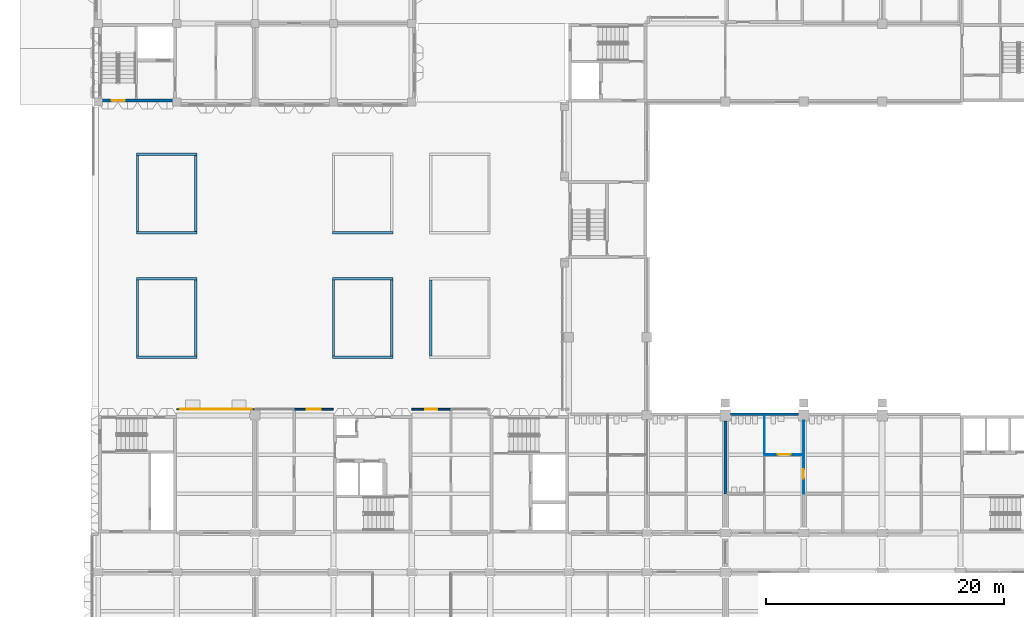
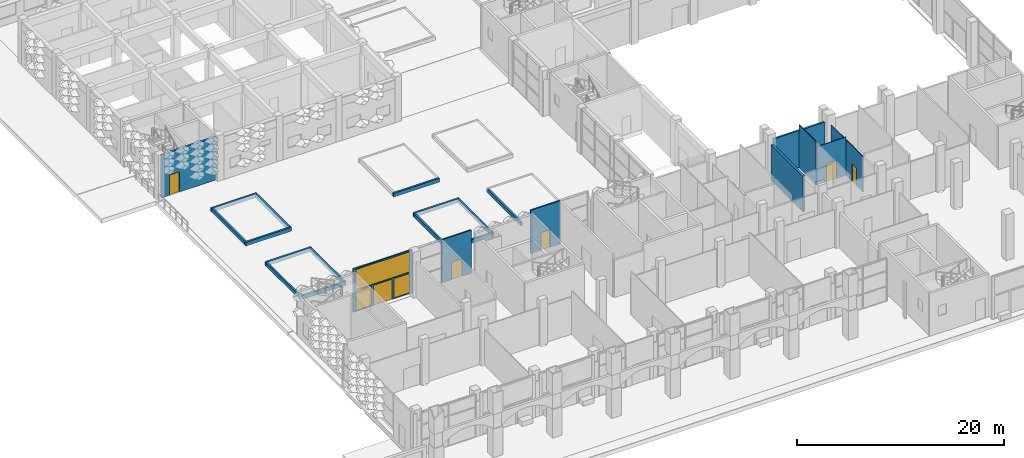
# One storey, part 30 of 85: 24 walls, 6 doors, 3 windows, 9 openings.
"""IFC4 building model written with IfcOpenShell, lengths in metres."""

import ifcopenshell
import ifcopenshell.guid

model = None  # the IFC model being written
_history = None  # IfcOwnerHistory: only IFC2X3 demands one
_inside = {}  # id of a spatial element -> (the spatial element, [elements in it])
_under = {}  # id of a project, library or spatial element -> (it, [spatial elements below it])
_declared = {}  # id of a project -> (the project, [libraries it declares])
_typed = {}  # id of a type object -> (the type object, [elements of that type])
_made_of = {}  # id of a material, layer set ... -> (it, [elements and type objects made of it])


def new_model(schema):
    """Start an empty IFC model of exactly this schema.

    Asked for "IFC4X3", IfcOpenShell would pick the latest addendum, in which some entities
    have other attributes; the version numbers below select the first issue.
    IFC2X3 requires an IfcOwnerHistory on every rooted entity: one is made here for all.
    """
    global model, _history
    if schema == "IFC4X3":
        model = ifcopenshell.file(schema_version=(4, 3, 0, 0))
    else:
        model = ifcopenshell.file(schema=schema)
    _inside.clear()
    _under.clear()
    _declared.clear()
    _typed.clear()
    _made_of.clear()
    _history = None
    if model.schema == "IFC2X3":
        org = make("IfcOrganization", Name="unknown")
        user = make(
            "IfcPersonAndOrganization",
            ThePerson=make("IfcPerson", FamilyName="unknown"),
            TheOrganization=org,
        )
        app = make(
            "IfcApplication",
            ApplicationDeveloper=org,
            Version="unknown",
            ApplicationFullName="unknown",
            ApplicationIdentifier="unknown",
        )
        _history = make(
            "IfcOwnerHistory",
            OwningUser=user,
            OwningApplication=app,
            ChangeAction="ADDED",
            CreationDate=0,
        )
    return model


def make(cls, **values):
    """One entity of the class cls with the attributes given. An attribute that is None is left unset."""
    return model.create_entity(
        cls, **{name: value for name, value in values.items() if value is not None}
    )


def rooted(cls, **values):
    """An entity with a GlobalId (a new one), such as an element, a storey or a relation."""
    return make(cls, GlobalId=ifcopenshell.guid.new(), OwnerHistory=_history, **values)


def si_unit(unit_type, name, prefix=None):
    """IfcSIUnit, for example si_unit("LENGTHUNIT", "METRE", prefix="MILLI")."""
    return make("IfcSIUnit", UnitType=unit_type, Prefix=prefix, Name=name)


def assignment(units):
    """IfcUnitAssignment: the units of a project."""
    return None if units is None else make("IfcUnitAssignment", Units=units)


def point(xyz):
    """IfcCartesianPoint."""
    return None if xyz is None else make("IfcCartesianPoint", Coordinates=xyz)


def direction(xyz):
    """IfcDirection."""
    return None if xyz is None else make("IfcDirection", DirectionRatios=xyz)


def frame(location, z_axis=None, x_axis=None):
    """IfcAxis2Placement3D, a coordinate frame: its origin and axes. An axis left out is left unset."""
    return make(
        "IfcAxis2Placement3D",
        Location=point(location),
        Axis=direction(z_axis),
        RefDirection=direction(x_axis),
    )


def frame_2d(location, x_axis=None):
    """IfcAxis2Placement2D, a coordinate frame in the plane: its origin and x axis."""
    return make(
        "IfcAxis2Placement2D", Location=point(location), RefDirection=direction(x_axis)
    )


def origin():
    """The frame at (0, 0, 0) with its axes left unset."""
    return frame((0.0, 0.0, 0.0))


def place(relative_to, where):
    """IfcLocalPlacement: puts the frame where relative to a parent placement (None: the world)."""
    return make(
        "IfcLocalPlacement", PlacementRelTo=relative_to, RelativePlacement=where
    )


def context(
    kind, dimensions, precision=None, world=None, true_north=None, identifier=None
):
    """IfcGeometricRepresentationContext, for example the 3D "Model" context."""
    return make(
        "IfcGeometricRepresentationContext",
        ContextIdentifier=identifier,
        ContextType=kind,
        CoordinateSpaceDimension=dimensions,
        Precision=precision,
        WorldCoordinateSystem=world,
        TrueNorth=true_north,
    )


def subcontext(parent, identifier, kind, view, scale=None):
    """IfcGeometricRepresentationSubContext, for example "Body" below "Model"."""
    return make(
        "IfcGeometricRepresentationSubContext",
        ContextIdentifier=identifier,
        ContextType=kind,
        ParentContext=parent,
        TargetScale=scale,
        TargetView=view,
    )


def project(units=None, contexts=None):
    """IfcProject with its units and contexts."""
    return rooted(
        "IfcProject",
        Name="project",
        RepresentationContexts=contexts,
        UnitsInContext=assignment(units),
    )


def spatial(cls, under=None, at=None, **own):
    """A site, building, storey or space (cls), placed at a placement, below another one or the project."""
    s = rooted(cls, ObjectPlacement=at, **own)
    if under is not None:
        _under.setdefault(under.id(), (under, []))[1].append(s)
    return s


def profile(cls, at=None, kind="AREA", **sizes):
    """A parametric profile (cls). Its sizes go by their IFC names, for example OverallWidth=200.0."""
    return make(cls, ProfileType=kind, Position=at, **sizes)


def rectangle(**sizes):
    """IfcRectangleProfileDef."""
    return profile("IfcRectangleProfileDef", **sizes)


def extrude(swept, where, along, depth):
    """IfcExtrudedAreaSolid: the profile swept, set in the frame where, extruded along a direction by depth."""
    return make(
        "IfcExtrudedAreaSolid",
        SweptArea=swept,
        Position=where,
        ExtrudedDirection=direction(along),
        Depth=depth,
    )


def shape(context_of_items, identifier, shape_type, items):
    """IfcShapeRepresentation: the items that make up one representation, for example the "Body"."""
    return make(
        "IfcShapeRepresentation",
        ContextOfItems=context_of_items,
        RepresentationIdentifier=identifier,
        RepresentationType=shape_type,
        Items=items,
    )


def material(Name=None, Category=None):
    """IfcMaterial."""
    return make("IfcMaterial", Name=Name, Category=Category)


def layer(
    of_material, thickness, ventilated=None, Name=None, Category=None, Priority=None
):
    """IfcMaterialLayer: one layer of a wall or slab, of a material (None: an air gap)."""
    return make(
        "IfcMaterialLayer",
        Material=of_material,
        LayerThickness=thickness,
        IsVentilated=ventilated,
        Name=Name,
        Category=Category,
        Priority=Priority,
    )


def layer_set(layers, Name=None):
    """IfcMaterialLayerSet."""
    return make("IfcMaterialLayerSet", MaterialLayers=layers, LayerSetName=Name)


def made_of(thing, what):
    """Note that an element or type object is made of a material, layer set ...; save() writes the relation."""
    if what is not None:
        _made_of.setdefault(what.id(), (what, []))[1].append(thing)
    return thing


def type_object(cls, material=None, **own):
    """A type object (cls), such as IfcWallType, which elements share."""
    return made_of(rooted(cls, **own), material)


def element(
    cls,
    number,
    at=None,
    inside=None,
    cuts=None,
    type_object=None,
    material=None,
    context=None,
    identifier="Body",
    shape_type=None,
    held_by="IfcProductDefinitionShape",
    body=None,
    shapes=None,
    **own,
):
    """One element of the class cls, such as IfcWall. Its Tag is "e" and its number.

    at: its placement. inside: the storey or other place that contains it. cuts: it is an
    opening in that element (IfcRelVoidsElement). A single representation is given by context,
    identifier, shape_type and body (its items); several are given by shapes. held_by: the class
    of the entity that holds the representations. save() writes the other relations.
    """
    e = rooted(cls, Tag="e%d" % number, ObjectPlacement=at, **own)
    if body is not None:
        shapes = [shape(context, identifier, shape_type, body)]
    if shapes is not None:
        e.Representation = make(held_by, Representations=shapes)
    if inside is not None:
        _inside.setdefault(inside.id(), (inside, []))[1].append(e)
    if cuts is not None:
        rooted(
            "IfcRelVoidsElement", RelatingBuildingElement=cuts, RelatedOpeningElement=e
        )
    if type_object is not None:
        _typed.setdefault(type_object.id(), (type_object, []))[1].append(e)
    return made_of(e, material)


def fill(opening, filler):
    """IfcRelFillsElement: the door or window that sits in an opening."""
    return rooted(
        "IfcRelFillsElement",
        RelatingOpeningElement=opening,
        RelatedBuildingElement=filler,
    )


def aggregate(whole, parts):
    """IfcRelAggregates: a whole, such as a stair, and the parts it consists of."""
    return rooted("IfcRelAggregates", RelatingObject=whole, RelatedObjects=parts)


def save(model, path):
    """Write the relations noted so far, then the file.

    IfcRelAggregates (storeys below a building ...), IfcRelContainedInSpatialStructure (elements
    in a storey), IfcRelDefinesByType, IfcRelAssociatesMaterial and IfcRelDeclares: one each for
    every whole, place, type object, material and project.
    """
    for whole, parts in _under.values():
        aggregate(whole, parts)
    for where, things in _inside.values():
        rooted(
            "IfcRelContainedInSpatialStructure",
            RelatedElements=things,
            RelatingStructure=where,
        )
    for kind, things in _typed.values():
        rooted("IfcRelDefinesByType", RelatedObjects=things, RelatingType=kind)
    for what, things in _made_of.values():
        rooted("IfcRelAssociatesMaterial", RelatedObjects=things, RelatingMaterial=what)
    for by, libraries in _declared.values():
        rooted("IfcRelDeclares", RelatingContext=by, RelatedDefinitions=libraries)
    model.write(path)


model = new_model("IFC4")

# Units and contexts
model_context = context("Model", 3, precision=1e-05, world=origin(), true_north=direction((0.0, 1.0)))
body_context = subcontext(model_context, "Body", "Model", "MODEL_VIEW")
ifc_project = project(units=[si_unit("LENGTHUNIT", "METRE"), si_unit("AREAUNIT", "SQUARE_METRE"), si_unit("VOLUMEUNIT", "CUBIC_METRE"), si_unit("PLANEANGLEUNIT", "RADIAN"), si_unit("MASSUNIT", "GRAM", prefix="KILO")], contexts=[model_context])

# Site, building, storey
site_placement = place(None, origin())
site = spatial("IfcSite", under=ifc_project, at=site_placement, CompositionType="ELEMENT")
building_placement = place(site_placement, origin())
building = spatial("IfcBuilding", under=site, at=building_placement, Name="Lantern Court Research Institute", CompositionType="ELEMENT")
storey_placement = place(building_placement, origin())
storey = spatial("IfcBuildingStorey", under=building, at=storey_placement, Name="L00", CompositionType="ELEMENT", Elevation=0.0)

# Wall, openings, windows, door
ifc_material_1 = material(Name="Aluminium alloy 6063-T6", Category="aluminium")
ifc_layer_1 = layer(ifc_material_1, 0.14990234375)
ifc_layer_set_1 = layer_set([ifc_layer_1], Name="Aluminium alloy 6063-T6")
wall_type_1 = type_object("IfcWallType", Name="Entrance screen wall 150 aluminium", PredefinedType="STANDARD", material=ifc_layer_set_1)
wall_1_placement = place(storey_placement, frame((6.60009765625, 23.625, 0.0), z_axis=(0.0, 0.0, 1.0), x_axis=(1.0, 0.0, 0.0)))
wall_1 = element("IfcWall", 1, at=wall_1_placement, inside=storey, type_object=wall_type_1, Name="Exterior wall EW026", PredefinedType="STANDARD", context=body_context, shape_type="SweptSolid", body=[
    extrude(rectangle(XDim=6.599853515625, YDim=0.14990234375, at=frame_2d((3.2998046875, 0.0))), origin(), (0.0, 0.0, 1.0), 5.10009765625),
])
opening_1_placement = place(wall_1_placement, frame((2.25, 0.0, 0.0)))
opening_1 = element("IfcOpeningElement", 2, at=opening_1_placement, cuts=wall_1, Name="Opening D4081", PredefinedType="OPENING", context=body_context, shape_type="SweptSolid", body=[
    extrude(rectangle(XDim=2.10009765625, YDim=2.39990234375, at=frame_2d((1.050048828125, 1.199951171875))), frame((0.0, 0.0849609375, 0.0), z_axis=(0.0, -1.0, 0.0), x_axis=(1.0, 0.0, 0.0)), (0.0, 0.0, 1.0), 0.169921875),
])
opening_2_placement = place(wall_1_placement, frame((0.300048828125, 0.0, 0.10009765625)))
opening_2 = element("IfcOpeningElement", 3, at=opening_2_placement, cuts=wall_1, Name="Opening W07", PredefinedType="OPENING", context=body_context, shape_type="SweptSolid", body=[
    extrude(rectangle(XDim=1.75, YDim=2.300048828125, at=frame_2d((0.875, 1.14990234375))), frame((0.0, 0.0849609375, 0.0), z_axis=(0.0, -1.0, 0.0), x_axis=(1.0, 0.0, 0.0)), (0.0, 0.0, 1.0), 0.169921875),
])
opening_3_placement = place(wall_1_placement, frame((4.550048828125, 0.0, 0.10009765625)))
opening_3 = element("IfcOpeningElement", 4, at=opening_3_placement, cuts=wall_1, Name="Opening W07", PredefinedType="OPENING", context=body_context, shape_type="SweptSolid", body=[
    extrude(rectangle(XDim=1.75, YDim=2.300048828125, at=frame_2d((0.875, 1.14990234375))), frame((0.0, 0.0849609375, 0.0), z_axis=(0.0, -1.0, 0.0), x_axis=(1.0, 0.0, 0.0)), (0.0, 0.0, 1.0), 0.169921875),
])
opening_4_placement = place(wall_1_placement, frame((0.300048828125, 0.0, 2.550048828125)))
opening_4 = element("IfcOpeningElement", 5, at=opening_4_placement, cuts=wall_1, Name="Opening W02", PredefinedType="OPENING", context=body_context, shape_type="SweptSolid", body=[
    extrude(rectangle(XDim=6.0, YDim=2.39990234375, at=frame_2d((3.0, 1.199951171875))), frame((0.0, 0.0849609375, 0.0), z_axis=(0.0, -1.0, 0.0), x_axis=(1.0, 0.0, 0.0)), (0.0, 0.0, 1.0), 0.169921875),
])
ifc_material_2 = material(Name="Aluminium frame with laminated low-emissivity glazing", Category="aluminium")
window_type_1 = type_object("IfcWindowType", Name="Entrance clerestory 6000 x 2400", PartitioningType="SINGLE_PANEL", PredefinedType="WINDOW", material=ifc_material_2)
window_1_placement = place(opening_4_placement, origin())
window_1 = element("IfcWindow", 6, at=window_1_placement, inside=storey, type_object=window_type_1, Name="Window W02 V4N L00", OverallHeight=2.39990234375, OverallWidth=6.0, PartitioningType="SINGLE_PANEL", PredefinedType="WINDOW", context=body_context, shape_type="SweptSolid", body=[
    extrude(rectangle(XDim=6.0, YDim=2.39990234375, at=frame_2d((3.0, 1.199951171875))), frame((0.0, 0.030029296875, 0.0), z_axis=(0.0, -1.0, 0.0), x_axis=(1.0, 0.0, 0.0)), (0.0, 0.0, 1.0), 0.06005859375),
])
fill(opening_4, window_1)
ifc_material_3 = material(Name="Aluminium frame with laminated glass", Category="aluminium")
door_type_1 = type_object("IfcDoorType", Name="Entrance door pair 2100 x 2400 aluminium glazed", OperationType="NOTDEFINED", PredefinedType="DOOR", material=ifc_material_3)
door_1_placement = place(opening_1_placement, origin())
door_1 = element("IfcDoor", 7, at=door_1_placement, inside=storey, type_object=door_type_1, Name="Exterior door D4081", OperationType="DOUBLE_DOOR_SINGLE_SWING", OverallHeight=2.39990234375, OverallWidth=2.10009765625, PredefinedType="DOOR", context=body_context, shape_type="SweptSolid", body=[
    extrude(rectangle(XDim=2.10009765625, YDim=2.39990234375, at=frame_2d((1.050048828125, 1.199951171875))), frame((0.0, 0.02490234375, 0.0), z_axis=(0.0, -1.0, 0.0), x_axis=(1.0, 0.0, 0.0)), (0.0, 0.0, 1.0), 0.050048828125),
])
fill(opening_1, door_1)
ifc_material_4 = material(Name="Aluminium frame with laminated low-emissivity glazing", Category="aluminium")
window_type_2 = type_object("IfcWindowType", Name="Entrance sidelight 1750 x 2300", PartitioningType="SINGLE_PANEL", PredefinedType="WINDOW", material=ifc_material_4)
window_2_placement = place(opening_2_placement, origin())
window_2 = element("IfcWindow", 8, at=window_2_placement, inside=storey, type_object=window_type_2, Name="Window W07 V4N L00", OverallHeight=2.300048828125, OverallWidth=1.75, PartitioningType="SINGLE_PANEL", PredefinedType="WINDOW", context=body_context, shape_type="SweptSolid", body=[
    extrude(rectangle(XDim=1.75, YDim=2.300048828125, at=frame_2d((0.875, 1.14990234375))), frame((0.0, 0.030029296875, 0.0), z_axis=(0.0, -1.0, 0.0), x_axis=(1.0, 0.0, 0.0)), (0.0, 0.0, 1.0), 0.06005859375),
])
fill(opening_2, window_2)
window_3_placement = place(opening_3_placement, origin())
window_3 = element("IfcWindow", 9, at=window_3_placement, inside=storey, type_object=window_type_2, Name="Window W07 V4N L00", OverallHeight=2.300048828125, OverallWidth=1.75, PartitioningType="SINGLE_PANEL", PredefinedType="WINDOW", context=body_context, shape_type="SweptSolid", body=[
    extrude(rectangle(XDim=1.75, YDim=2.300048828125, at=frame_2d((0.875, 1.14990234375))), frame((0.0, 0.030029296875, 0.0), z_axis=(0.0, -1.0, 0.0), x_axis=(1.0, 0.0, 0.0)), (0.0, 0.0, 1.0), 0.06005859375),
])
fill(opening_3, window_3)

# Wall, opening, door
ifc_material_5 = material(Name="Aluminium alloy 6063-T6", Category="aluminium")
ifc_layer_2 = layer(ifc_material_5, 0.14990234375)
ifc_layer_set_2 = layer_set([ifc_layer_2], Name="Aluminium alloy 6063-T6")
wall_type_2 = type_object("IfcWallType", Name="Entrance screen wall 150 aluminium EI 60 beside an FD60 door", PredefinedType="STANDARD", material=ifc_layer_set_2)
wall_2_placement = place(storey_placement, frame((16.5, 23.625, 0.0), z_axis=(0.0, 0.0, 1.0), x_axis=(1.0, 0.0, 0.0)))
wall_2 = element("IfcWall", 10, at=wall_2_placement, inside=storey, type_object=wall_type_2, Name="Exterior wall EW027", PredefinedType="STANDARD", context=body_context, shape_type="SweptSolid", body=[
    extrude(rectangle(XDim=3.300048828125, YDim=0.14990234375, at=frame_2d((1.64990234375, 0.0))), origin(), (0.0, 0.0, 1.0), 5.10009765625),
])
opening_5_placement = place(wall_2_placement, frame((1.050048828125, 0.0, 0.0)))
opening_5 = element("IfcOpeningElement", 11, at=opening_5_placement, cuts=wall_2, Name="Opening D4082", PredefinedType="OPENING", context=body_context, shape_type="SweptSolid", body=[
    extrude(rectangle(XDim=1.199951171875, YDim=2.10009765625, at=frame_2d((0.60009765625, 1.050048828125))), frame((0.0, 0.0849609375, 0.0), z_axis=(0.0, -1.0, 0.0), x_axis=(1.0, 0.0, 0.0)), (0.0, 0.0, 1.0), 0.169921875),
])
ifc_material_6 = material(Name="Galvanised steel leaf and frame", Category="steel")
door_type_2 = type_object("IfcDoorType", Name="Service door 1200 x 2100 steel FD60", OperationType="NOTDEFINED", PredefinedType="DOOR", material=ifc_material_6)
door_2_placement = place(opening_5_placement, origin())
door_2 = element("IfcDoor", 12, at=door_2_placement, inside=storey, type_object=door_type_2, Name="Exterior door D4082", OperationType="SINGLE_SWING_RIGHT", OverallHeight=2.10009765625, OverallWidth=1.199951171875, PredefinedType="DOOR", context=body_context, shape_type="SweptSolid", body=[
    extrude(rectangle(XDim=1.199951171875, YDim=2.10009765625, at=frame_2d((0.60009765625, 1.050048828125))), frame((0.0, 0.02490234375, 0.0), z_axis=(0.0, -1.0, 0.0), x_axis=(1.0, 0.0, 0.0)), (0.0, 0.0, 1.0), 0.050048828125),
])
fill(opening_5, door_2)

wall_3_placement = place(storey_placement, frame((26.39990234375, 23.625, 0.0), z_axis=(0.0, 0.0, 1.0), x_axis=(1.0, 0.0, 0.0)))
wall_3 = element("IfcWall", 13, at=wall_3_placement, inside=storey, type_object=wall_type_2, Name="Exterior wall EW028", PredefinedType="STANDARD", context=body_context, shape_type="SweptSolid", body=[
    extrude(rectangle(XDim=3.300048828125, YDim=0.14990234375, at=frame_2d((1.64990234375, 0.0))), origin(), (0.0, 0.0, 1.0), 5.10009765625),
])
opening_6_placement = place(wall_3_placement, frame((1.14990234375, 0.0, 0.0)))
opening_6 = element("IfcOpeningElement", 14, at=opening_6_placement, cuts=wall_3, Name="Opening D4083", PredefinedType="OPENING", context=body_context, shape_type="SweptSolid", body=[
    extrude(rectangle(XDim=1.0, YDim=2.10009765625, at=frame_2d((0.5, 1.050048828125))), frame((0.0, 0.0849609375, 0.0), z_axis=(0.0, -1.0, 0.0), x_axis=(1.0, 0.0, 0.0)), (0.0, 0.0, 1.0), 0.169921875),
])
ifc_material_7 = material(Name="Galvanised steel leaf and frame", Category="steel")
door_type_3 = type_object("IfcDoorType", Name="Service door 1000 x 2100 steel FD60", OperationType="NOTDEFINED", PredefinedType="DOOR", material=ifc_material_7)
door_3_placement = place(opening_6_placement, origin())
door_3 = element("IfcDoor", 15, at=door_3_placement, inside=storey, type_object=door_type_3, Name="Exterior door D4083", OperationType="SINGLE_SWING_RIGHT", OverallHeight=2.10009765625, OverallWidth=1.0, PredefinedType="DOOR", context=body_context, shape_type="SweptSolid", body=[
    extrude(rectangle(XDim=1.0, YDim=2.10009765625, at=frame_2d((0.5, 1.050048828125))), frame((0.0, 0.02490234375, 0.0), z_axis=(0.0, -1.0, 0.0), x_axis=(1.0, 0.0, 0.0)), (0.0, 0.0, 1.0), 0.050048828125),
])
fill(opening_6, door_3)

# Walls
ifc_material_8 = material(Name="Fire-rated blockwork", Category="masonry")
ifc_layer_3 = layer(ifc_material_8, 0.199951171875)
ifc_layer_set_3 = layer_set([ifc_layer_3], Name="Fire-rated blockwork")
wall_type_3 = type_object("IfcWallType", Name="Party wall 200 mm EI 120", PredefinedType="PARTITIONING", material=ifc_layer_set_3)
wall_4_placement = place(storey_placement, frame((53.25, 23.199951171875, 0.0), z_axis=(0.0, 0.0, 1.0), x_axis=(1.0, 0.0, 0.0)))
element("IfcWall", 16, at=wall_4_placement, inside=storey, type_object=wall_type_3, Name="Wall V2-L00-003", PredefinedType="PARTITIONING", context=body_context, shape_type="SweptSolid", body=[
    extrude(rectangle(XDim=5.699951171875, YDim=0.199951171875, at=frame_2d((2.85009765625, 0.0))), origin(), (0.0, 0.0, 1.0), 4.39990234375),
])
ifc_material_9 = material(Name="Fire-rated gypsum board partition, double stud, mineral wool filled")
ifc_layer_4 = layer(ifc_material_9, 0.25)
ifc_layer_set_4 = layer_set([ifc_layer_4], Name="Fire-rated gypsum board partition, double stud, mineral wool filled")
wall_type_4 = type_object("IfcWallType", Name="Plant compartment wall 250 EI 120", PredefinedType="PARTITIONING", material=ifc_layer_set_4)
wall_5_placement = place(storey_placement, frame((52.800048828125, 16.5, 0.0), z_axis=(0.0, 0.0, 1.0), x_axis=(0.0, 1.0, 0.0)))
element("IfcWall", 17, at=wall_5_placement, inside=storey, type_object=wall_type_4, Name="Plant compartment wall 250 EI 120", PredefinedType="PARTITIONING", context=body_context, shape_type="SweptSolid", body=[
    extrude(rectangle(XDim=6.14990234375, YDim=0.25, at=frame_2d((3.074951171875, 0.0))), origin(), (0.0, 0.0, 1.0), 4.199951171875),
])
ifc_material_10 = material(Name="Rendered blockwork", Category="masonry")
ifc_layer_5 = layer(ifc_material_10, 0.199951171875)
ifc_layer_set_5 = layer_set([ifc_layer_5], Name="Rendered blockwork")
wall_type_5 = type_object("IfcWallType", Name="Planter wall 200 mm", PredefinedType="PARTITIONING", material=ifc_layer_set_5)
for number, where, z_axis, x_axis, name in (
    (18, (3.199951171875, 28.0, 0.0), (0.0, 0.0, 1.0), (1.0, 0.0, 0.0), "Planter wall court 1.1"),
    (19, (3.199951171875, 34.60009765625, 0.0), (0.0, 0.0, 1.0), (1.0, 0.0, 0.0), "Planter wall court 1.2"),
):
    element("IfcWall", number, at=place(storey_placement, frame(where, z_axis=z_axis, x_axis=x_axis)), inside=storey, type_object=wall_type_5, Name=name, PredefinedType="PARTITIONING", context=body_context, shape_type="SweptSolid", body=[
        extrude(rectangle(XDim=5.10009765625, YDim=0.199951171875, at=frame_2d((2.550048828125, 0.0))), origin(), (0.0, 0.0, 1.0), 0.449951171875),
    ])
for number, where, z_axis, x_axis, name in (
    (20, (3.300048828125, 28.10009765625, 0.0), (0.0, 0.0, 1.0), (0.0, 1.0, 0.0), "Planter wall court 1.3"),
    (21, (8.199951171875, 28.10009765625, 0.0), (0.0, 0.0, 1.0), (0.0, 1.0, 0.0), "Planter wall court 1.4"),
):
    element("IfcWall", number, at=place(storey_placement, frame(where, z_axis=z_axis, x_axis=x_axis)), inside=storey, type_object=wall_type_5, Name=name, PredefinedType="PARTITIONING", context=body_context, shape_type="SweptSolid", body=[
        extrude(rectangle(XDim=6.39990234375, YDim=0.199951171875, at=frame_2d((3.199951171875, 0.0))), origin(), (0.0, 0.0, 1.0), 0.449951171875),
    ])
for number, where, z_axis, x_axis, name in (
    (22, (3.199951171875, 38.5, 0.0), (0.0, 0.0, 1.0), (1.0, 0.0, 0.0), "Planter wall court 2.1"),
    (23, (3.199951171875, 45.10009765625, 0.0), (0.0, 0.0, 1.0), (1.0, 0.0, 0.0), "Planter wall court 2.2"),
):
    element("IfcWall", number, at=place(storey_placement, frame(where, z_axis=z_axis, x_axis=x_axis)), inside=storey, type_object=wall_type_5, Name=name, PredefinedType="PARTITIONING", context=body_context, shape_type="SweptSolid", body=[
        extrude(rectangle(XDim=5.10009765625, YDim=0.199951171875, at=frame_2d((2.550048828125, 0.0))), origin(), (0.0, 0.0, 1.0), 0.449951171875),
    ])
for number, where, z_axis, x_axis, name in (
    (24, (3.300048828125, 38.60009765625, 0.0), (0.0, 0.0, 1.0), (0.0, 1.0, 0.0), "Planter wall court 2.3"),
    (25, (8.199951171875, 38.60009765625, 0.0), (0.0, 0.0, 1.0), (0.0, 1.0, 0.0), "Planter wall court 2.4"),
):
    element("IfcWall", number, at=place(storey_placement, frame(where, z_axis=z_axis, x_axis=x_axis)), inside=storey, type_object=wall_type_5, Name=name, PredefinedType="PARTITIONING", context=body_context, shape_type="SweptSolid", body=[
        extrude(rectangle(XDim=6.39990234375, YDim=0.199951171875, at=frame_2d((3.199951171875, 0.0))), origin(), (0.0, 0.0, 1.0), 0.449951171875),
    ])
for number, where, z_axis, x_axis, name in (
    (26, (19.699951171875, 28.0, 0.0), (0.0, 0.0, 1.0), (1.0, 0.0, 0.0), "Planter wall court 3.1"),
    (27, (19.699951171875, 34.60009765625, 0.0), (0.0, 0.0, 1.0), (1.0, 0.0, 0.0), "Planter wall court 3.2"),
):
    element("IfcWall", number, at=place(storey_placement, frame(where, z_axis=z_axis, x_axis=x_axis)), inside=storey, type_object=wall_type_5, Name=name, PredefinedType="PARTITIONING", context=body_context, shape_type="SweptSolid", body=[
        extrude(rectangle(XDim=5.10009765625, YDim=0.199951171875, at=frame_2d((2.550048828125, 0.0))), origin(), (0.0, 0.0, 1.0), 0.449951171875),
    ])
for number, where, z_axis, x_axis, name in (
    (28, (19.800048828125, 28.10009765625, 0.0), (0.0, 0.0, 1.0), (0.0, 1.0, 0.0), "Planter wall court 3.3"),
    (29, (24.699951171875, 28.10009765625, 0.0), (0.0, 0.0, 1.0), (0.0, 1.0, 0.0), "Planter wall court 3.4"),
):
    element("IfcWall", number, at=place(storey_placement, frame(where, z_axis=z_axis, x_axis=x_axis)), inside=storey, type_object=wall_type_5, Name=name, PredefinedType="PARTITIONING", context=body_context, shape_type="SweptSolid", body=[
        extrude(rectangle(XDim=6.39990234375, YDim=0.199951171875, at=frame_2d((3.199951171875, 0.0))), origin(), (0.0, 0.0, 1.0), 0.449951171875),
    ])
wall_6_placement = place(storey_placement, frame((19.699951171875, 38.5, 0.0), z_axis=(0.0, 0.0, 1.0), x_axis=(1.0, 0.0, 0.0)))
element("IfcWall", 30, at=wall_6_placement, inside=storey, type_object=wall_type_5, Name="Planter wall court 4.1", PredefinedType="PARTITIONING", context=body_context, shape_type="SweptSolid", body=[
    extrude(rectangle(XDim=5.10009765625, YDim=0.199951171875, at=frame_2d((2.550048828125, 0.0))), origin(), (0.0, 0.0, 1.0), 0.449951171875),
])
wall_7_placement = place(storey_placement, frame((28.0, 28.10009765625, 0.0), z_axis=(0.0, 0.0, 1.0), x_axis=(0.0, 1.0, 0.0)))
element("IfcWall", 31, at=wall_7_placement, inside=storey, type_object=wall_type_5, Name="Planter wall court 5.3", PredefinedType="PARTITIONING", context=body_context, shape_type="SweptSolid", body=[
    extrude(rectangle(XDim=6.39990234375, YDim=0.199951171875, at=frame_2d((3.199951171875, 0.0))), origin(), (0.0, 0.0, 1.0), 0.449951171875),
])

# Wall, opening, door
ifc_material_11 = material(Name="Concrete C40/50", Category="concrete")
ifc_layer_6 = layer(ifc_material_11, 0.25)
ifc_layer_set_6 = layer_set([ifc_layer_6], Name="Concrete C40/50")
wall_type_6 = type_object("IfcWallType", Name="RC core wall 250 facade", PredefinedType="SHEAR", material=ifc_layer_set_6)
wall_8_placement = place(storey_placement, frame((6.35009765625, 49.625, 0.0), z_axis=(0.0, 0.0, 1.0), x_axis=(-1.0, 0.0, 0.0)))
wall_8 = element("IfcWall", 32, at=wall_8_placement, inside=storey, type_object=wall_type_6, Name="South wall of core CC-A", PredefinedType="SHEAR", context=body_context, shape_type="SweptSolid", body=[
    extrude(rectangle(XDim=6.10009765625, YDim=0.25, at=frame_2d((3.050048828125, 0.0))), origin(), (0.0, 0.0, 1.0), 5.050048828125),
])
opening_7_placement = place(wall_8_placement, frame((4.125, 0.0, 0.0)))
opening_7 = element("IfcOpeningElement", 33, at=opening_7_placement, cuts=wall_8, Name="Opening D7278", PredefinedType="OPENING", context=body_context, shape_type="SweptSolid", body=[
    extrude(rectangle(XDim=1.10009765625, YDim=2.39990234375, at=frame_2d((0.550048828125, 1.199951171875))), frame((0.0, 0.135009765625, 0.0), z_axis=(0.0, -1.0, 0.0), x_axis=(1.0, 0.0, 0.0)), (0.0, 0.0, 1.0), 0.27001953125),
])
ifc_material_12 = material(Name="Steel fire door leaf with smoke seals", Category="steel")
door_type_4 = type_object("IfcDoorType", Name="Door 1100 x 2400 fire rated FD60S", OperationType="NOTDEFINED", PredefinedType="DOOR", material=ifc_material_12)
door_4_placement = place(opening_7_placement, origin())
door_4 = element("IfcDoor", 34, at=door_4_placement, inside=storey, type_object=door_type_4, Name="Stair exit door", OperationType="SINGLE_SWING_RIGHT", OverallHeight=2.39990234375, OverallWidth=1.10009765625, PredefinedType="DOOR", context=body_context, shape_type="SweptSolid", body=[
    extrude(rectangle(XDim=1.10009765625, YDim=2.39990234375, at=frame_2d((0.550048828125, 1.199951171875))), frame((0.0, 0.02490234375, 0.0), z_axis=(0.0, -1.0, 0.0), x_axis=(1.0, 0.0, 0.0)), (0.0, 0.0, 1.0), 0.050048828125),
])
fill(opening_7, door_4)

# Wall
ifc_material_13 = material(Name="Gypsum board partition, mineral wool filled")
ifc_layer_7 = layer(ifc_material_13, 0.074951171875)
ifc_layer_set_7 = layer_set([ifc_layer_7], Name="Gypsum board partition, mineral wool filled")
wall_type_7 = type_object("IfcWallType", Name="Wet room partition 75", PredefinedType="PARTITIONING", material=ifc_layer_set_7)
wall_9_placement = place(storey_placement, frame((56.10009765625, 19.800048828125, 0.0), z_axis=(0.0, 0.0, 1.0), x_axis=(0.0, 1.0, 0.0)))
element("IfcWall", 35, at=wall_9_placement, inside=storey, type_object=wall_type_7, Name="Wet room partition 75", PredefinedType="PARTITIONING", context=body_context, shape_type="SweptSolid", body=[
    extrude(rectangle(XDim=3.300048828125, YDim=0.074951171875, at=frame_2d((1.64990234375, 0.0))), origin(), (0.0, 0.0, 1.0), 5.10009765625),
])

# Wall, opening, door
wall_10_placement = place(storey_placement, frame((56.137451171875, 19.800048828125, 0.0), z_axis=(0.0, 0.0, 1.0), x_axis=(1.0, 0.0, 0.0)))
wall_10 = element("IfcWall", 36, at=wall_10_placement, inside=storey, type_object=wall_type_7, Name="Wet room partition 75", PredefinedType="PARTITIONING", context=body_context, shape_type="SweptSolid", body=[
    extrude(rectangle(XDim=3.262451171875, YDim=0.074951171875, at=frame_2d((1.63134765625, 0.0))), origin(), (0.0, 0.0, 1.0), 4.5),
])
opening_8_placement = place(wall_10_placement, frame((1.0625, 0.0, 0.0)))
opening_8 = element("IfcOpeningElement", 37, at=opening_8_placement, cuts=wall_10, Name="Opening D5008", PredefinedType="OPENING", context=body_context, shape_type="SweptSolid", body=[
    extrude(rectangle(XDim=1.10009765625, YDim=2.10009765625, at=frame_2d((0.550048828125, 1.050048828125))), frame((0.0, 0.04736328125, 0.0), z_axis=(0.0, -1.0, 0.0), x_axis=(1.0, 0.0, 0.0)), (0.0, 0.0, 1.0), 0.094970703125),
])
ifc_material_14 = material(Name="Solid-core timber door leaf", Category="wood")
ifc_layer_8 = layer(ifc_material_14, 0.0439453125)
ifc_layer_set_8 = layer_set([ifc_layer_8], Name="Solid-core timber door leaf")
door_type_5 = type_object("IfcDoorType", Name="Accessible WC door 1100 x 2100 single NOT RATED", OperationType="NOTDEFINED", PredefinedType="DOOR", material=ifc_layer_set_8)
door_5_placement = place(opening_8_placement, origin())
door_5 = element("IfcDoor", 38, at=door_5_placement, inside=storey, type_object=door_type_5, Name="Door D5008", OperationType="SINGLE_SWING_RIGHT", OverallHeight=2.10009765625, OverallWidth=1.10009765625, PredefinedType="DOOR", context=body_context, shape_type="SweptSolid", body=[
    extrude(rectangle(XDim=1.10009765625, YDim=2.10009765625, at=frame_2d((0.550048828125, 1.050048828125))), frame((0.0, 0.02197265625, 0.0), z_axis=(0.0, -1.0, 0.0), x_axis=(1.0, 0.0, 0.0)), (0.0, 0.0, 1.0), 0.0439453125),
])
fill(opening_8, door_5)

wall_11_placement = place(storey_placement, frame((59.39990234375, 19.762451171875, 0.0), z_axis=(0.0, 0.0, 1.0), x_axis=(0.0, -1.0, 0.0)))
wall_11 = element("IfcWall", 39, at=wall_11_placement, inside=storey, type_object=wall_type_7, Name="Wet room partition 75", PredefinedType="PARTITIONING", context=body_context, shape_type="SweptSolid", body=[
    extrude(rectangle(XDim=3.262451171875, YDim=0.074951171875, at=frame_2d((1.63134765625, 0.0))), origin(), (0.0, 0.0, 1.0), 4.199951171875),
])
opening_9_placement = place(wall_11_placement, frame((1.21240234375, 0.0, 0.0)))
opening_9 = element("IfcOpeningElement", 40, at=opening_9_placement, cuts=wall_11, Name="Opening D5010", PredefinedType="OPENING", context=body_context, shape_type="SweptSolid", body=[
    extrude(rectangle(XDim=0.800048828125, YDim=2.10009765625, at=frame_2d((0.39990234375, 1.050048828125))), frame((0.0, 0.04736328125, 0.0), z_axis=(0.0, -1.0, 0.0), x_axis=(1.0, 0.0, 0.0)), (0.0, 0.0, 1.0), 0.094970703125),
])
ifc_material_15 = material(Name="Solid-core timber door leaf", Category="wood")
ifc_layer_9 = layer(ifc_material_15, 0.0439453125)
ifc_layer_set_9 = layer_set([ifc_layer_9], Name="Solid-core timber door leaf")
door_type_6 = type_object("IfcDoorType", Name="WC door 800 x 2100 single NOT RATED", OperationType="NOTDEFINED", PredefinedType="DOOR", material=ifc_layer_set_9)
door_6_placement = place(opening_9_placement, origin())
door_6 = element("IfcDoor", 41, at=door_6_placement, inside=storey, type_object=door_type_6, Name="Door D5010", OperationType="SINGLE_SWING_RIGHT", OverallHeight=2.10009765625, OverallWidth=0.800048828125, PredefinedType="DOOR", context=body_context, shape_type="SweptSolid", body=[
    extrude(rectangle(XDim=0.800048828125, YDim=2.10009765625, at=frame_2d((0.39990234375, 1.050048828125))), frame((0.0, 0.02197265625, 0.0), z_axis=(0.0, -1.0, 0.0), x_axis=(1.0, 0.0, 0.0)), (0.0, 0.0, 1.0), 0.0439453125),
])
fill(opening_9, door_6)

# Wall
wall_12_placement = place(storey_placement, frame((59.39990234375, 19.83740234375, 0.0), z_axis=(0.0, 0.0, 1.0), x_axis=(0.0, 1.0, 0.0)))
element("IfcWall", 42, at=wall_12_placement, inside=storey, type_object=wall_type_7, Name="Wet room partition 75", PredefinedType="PARTITIONING", context=body_context, shape_type="SweptSolid", body=[
    extrude(rectangle(XDim=2.8125, YDim=0.074951171875, at=frame_2d((1.40625, 0.0))), origin(), (0.0, 0.0, 1.0), 4.199951171875),
])

save(model, "model.ifc")
